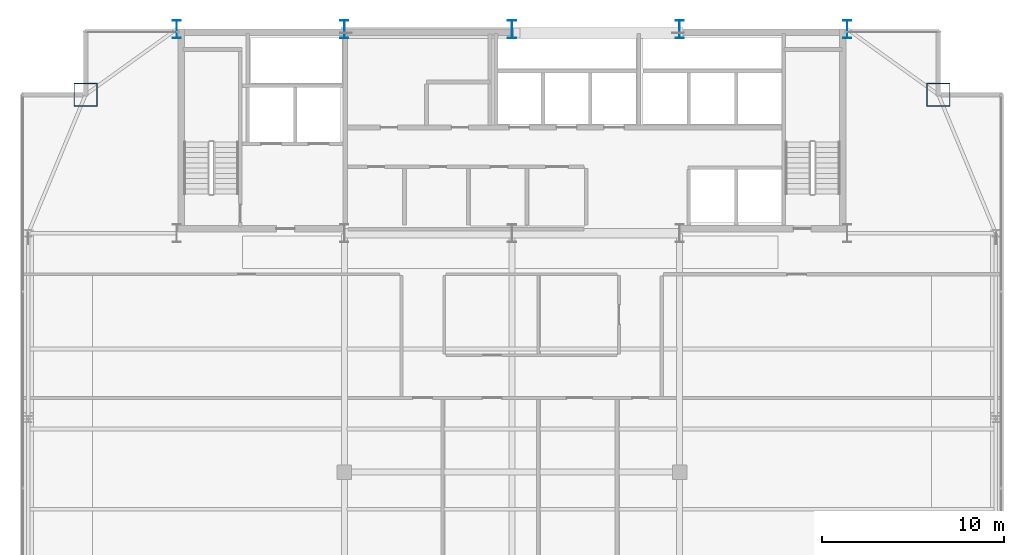
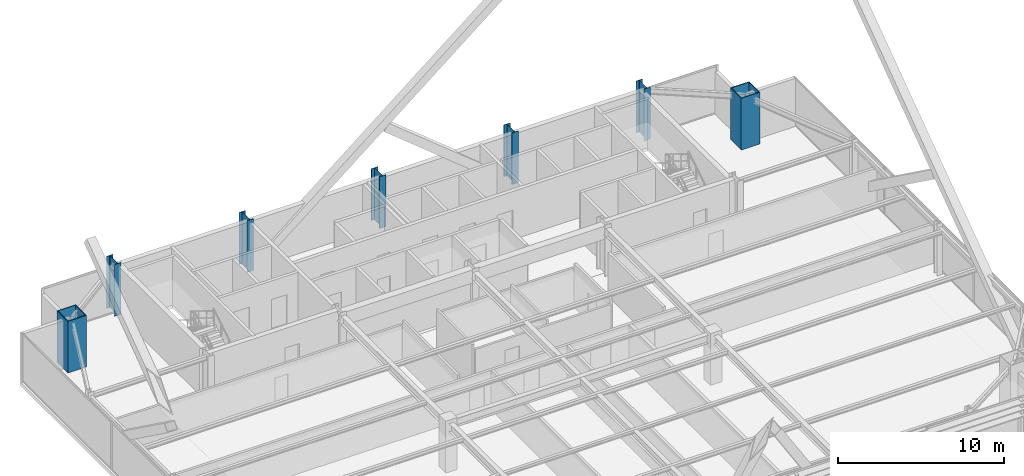
# One storey, part 3 of 34: 7 columns.
"""IFC4 building model written with IfcOpenShell, lengths in metres."""

from ifc_helpers import new_model, si_unit, direction, frame, origin, origin_2d, place, context, subcontext, project, spatial, hollow_rectangle, i_section, extrude, source, transform, mapped, material, material_profile, profile_set, type_object, type_shapes, element, save


model = new_model("IFC4")

# Units and contexts
model_context = context("Model", 3, precision=1e-05, world=origin(), true_north=direction((0.0, 1.0)))
body_context = subcontext(model_context, "Body", "Model", "MODEL_VIEW")
ifc_project = project(units=[si_unit("LENGTHUNIT", "METRE"), si_unit("AREAUNIT", "SQUARE_METRE"), si_unit("VOLUMEUNIT", "CUBIC_METRE"), si_unit("PLANEANGLEUNIT", "RADIAN"), si_unit("MASSUNIT", "GRAM", prefix="KILO")], contexts=[model_context])

# Site, building, storey
site_placement = place(None, origin())
site = spatial("IfcSite", under=ifc_project, at=site_placement, CompositionType="ELEMENT")
building_placement = place(site_placement, origin())
building = spatial("IfcBuilding", under=site, at=building_placement, Name="Varnel Quay Broadcast Tower", CompositionType="ELEMENT")
storey_placement = place(building_placement, frame((0.0, 0.0, 161.0)))
storey = spatial("IfcBuildingStorey", under=building, at=storey_placement, Name="L39", CompositionType="ELEMENT", Elevation=161.0)

# Columns
ifc_material = material(Name="Structural Steel CSA G40.21 350WT", Category="steel")
ifc_material_profile_1 = material_profile(ifc_material, i_section(OverallWidth=0.449951171875, OverallDepth=1.0, WebThickness=0.01611328125, FlangeThickness=0.030029296875, FilletRadius=0.01611328125, at=origin_2d()), Name="WWF1000X362")
ifc_profile_set_1 = profile_set([ifc_material_profile_1], Name="Structural Steel CSA G40.21 350WT")
column_type_1 = type_object("IfcColumnType", Name="Col_WWF1000X362", PredefinedType="COLUMN", material=ifc_profile_set_1)
shared_shape_1 = source(origin(), body_context, "Body", "SweptSolid", [
    extrude(i_section(OverallWidth=0.449951171875, OverallDepth=1.0, WebThickness=0.01611328125, FlangeThickness=0.030029296875, FilletRadius=0.01611328125, at=origin_2d()), origin(), (0.0, 0.0, 1.0), 3.800048828125),
])
type_shapes(column_type_1, [shared_shape_1])
for number, where, z_axis, x_axis, name in (
    (1, (15.60009765625, 46.800048828125, 0.0), (0.0, 0.0, 1.0), (1.0, 0.0, 0.0), "L39 Column CC-N1"),
    (2, (24.800048828125, 46.800048828125, 0.0), (0.0, 0.0, 1.0), (1.0, 0.0, 0.0), "L39 Column CC-N2"),
    (3, (34.0, 46.800048828125, 0.0), (0.0, 0.0, 1.0), (1.0, 0.0, 0.0), "L39 Column CC-N3"),
    (4, (43.199951171875, 46.800048828125, 0.0), (0.0, 0.0, 1.0), (1.0, 0.0, 0.0), "L39 Column CC-N4"),
    (5, (52.39990234375, 46.800048828125, 0.0), (0.0, 0.0, 1.0), (1.0, 0.0, 0.0), "L39 Column CC-N5"),
):
    element("IfcColumn", number, at=place(storey_placement, frame(where, z_axis=z_axis, x_axis=x_axis)), inside=storey, type_object=column_type_1, Name=name, PredefinedType="COLUMN", context=body_context, shape_type="MappedRepresentation", body=[
        mapped(shared_shape_1, transform((0.0, 0.0, 0.0), x_axis=(1.0, 0.0, 0.0), y_axis=(0.0, 1.0, 0.0), z_axis=(0.0, 0.0, 1.0), scale=1.0)),
    ])
ifc_material_profile_2 = material_profile(ifc_material, hollow_rectangle(XDim=1.300048828125, YDim=1.300048828125, WallThickness=0.050048828125, at=origin_2d()), Name="BOX1300X1300X50")
ifc_profile_set_2 = profile_set([ifc_material_profile_2], Name="Structural Steel CSA G40.21 350WT")
column_type_2 = type_object("IfcColumnType", Name="Col_BOX1300X1300X50", PredefinedType="COLUMN", material=ifc_profile_set_2)
shared_shape_2 = source(origin(), body_context, "Body", "SweptSolid", [
    extrude(hollow_rectangle(XDim=1.300048828125, YDim=1.300048828125, WallThickness=0.050048828125, at=origin_2d()), origin(), (0.0, 0.0, 1.0), 3.800048828125),
])
type_shapes(column_type_2, [shared_shape_2])
for number, where, z_axis, x_axis, name in (
    (6, (57.39990234375, 43.199951171875, 0.0), (0.0, 0.0, 1.0), (1.0, 0.0, 0.0), "L39 Column MC-NE"),
    (7, (10.60009765625, 43.199951171875, 0.0), (0.0, 0.0, 1.0), (1.0, 0.0, 0.0), "L39 Column MC-NW"),
):
    element("IfcColumn", number, at=place(storey_placement, frame(where, z_axis=z_axis, x_axis=x_axis)), inside=storey, type_object=column_type_2, Name=name, PredefinedType="COLUMN", context=body_context, shape_type="MappedRepresentation", body=[
        mapped(shared_shape_2, transform((0.0, 0.0, 0.0), x_axis=(1.0, 0.0, 0.0), y_axis=(0.0, 1.0, 0.0), z_axis=(0.0, 0.0, 1.0), scale=1.0)),
    ])

save(model, "model.ifc")
